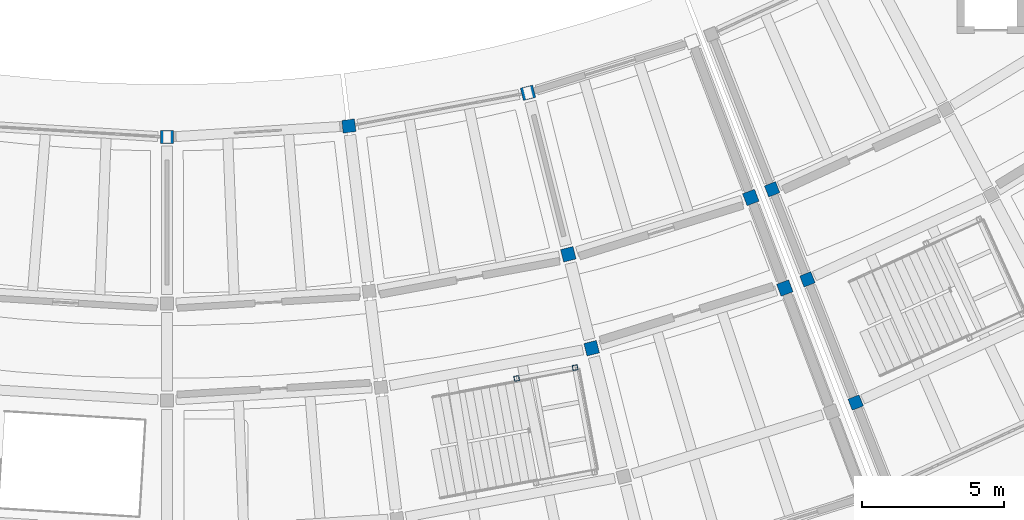
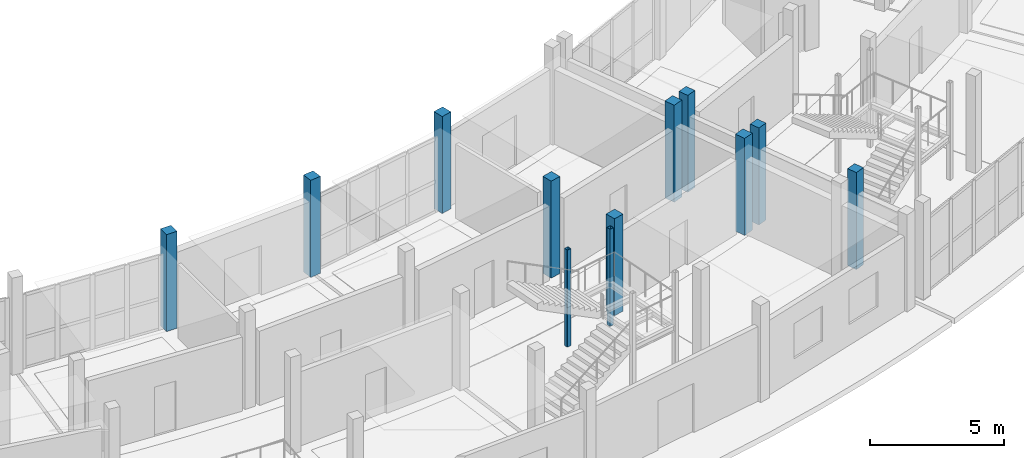
# One storey, part 13 of 92: 12 columns.
"""IFC4 building model written with IfcOpenShell, lengths in metres."""

from ifc_helpers import new_model, si_unit, direction, frame, origin, origin_2d, place, context, subcontext, project, spatial, rectangle, hollow_rectangle, extrude, material, material_profile, profile_set, type_object, element, save


model = new_model("IFC4")

# Units and contexts
model_context = context("Model", 3, precision=1e-05, world=origin(), true_north=direction((0.0, 1.0)))
body_context = subcontext(model_context, "Body", "Model", "MODEL_VIEW")
ifc_project = project(units=[si_unit("LENGTHUNIT", "METRE"), si_unit("AREAUNIT", "SQUARE_METRE"), si_unit("VOLUMEUNIT", "CUBIC_METRE"), si_unit("PLANEANGLEUNIT", "RADIAN"), si_unit("MASSUNIT", "GRAM", prefix="KILO")], contexts=[model_context])

# Site, building, storey
site_placement = place(None, origin())
site = spatial("IfcSite", under=ifc_project, at=site_placement, CompositionType="ELEMENT")
building_placement = place(site_placement, origin())
building = spatial("IfcBuilding", under=site, at=building_placement, Name="Caldaven Crescent School", CompositionType="ELEMENT")
storey_placement = place(building_placement, origin())
storey = spatial("IfcBuildingStorey", under=building, at=storey_placement, Name="L00", CompositionType="ELEMENT", Elevation=0.0)

# Columns
ifc_material_1 = material(Name="Glulam MLE24h (GL28h)", Category="wood")
ifc_material_profile_1 = material_profile(ifc_material_1, rectangle(XDim=0.419921875, YDim=0.419921875, at=origin_2d()), Name="MLE 420x420")
ifc_profile_set_1 = profile_set([ifc_material_profile_1], Name="Glulam MLE24h (GL28h)")
column_type_1 = type_object("IfcColumnType", Name="COL-GL42", PredefinedType="COLUMN", material=ifc_profile_set_1)
for number, where, z_axis, x_axis, name in (
    (1, (109.26708984375, 41.71728515625, 0.0), (0.0, 0.0, 1.0), (0.364714278886, -0.931119484694, 0.0), "COL-V4E-L00-00-1"),
    (2, (110.50732421875, 38.5517578125, 0.0), (0.0, 0.0, 1.0), (0.364714278886, -0.931119484694, 0.0), "COL-V4E-L00-00-2"),
    (3, (112.20361328125, 34.22216796875, 0.0), (0.0, 0.0, 1.0), (0.364714278886, -0.931119484694, 0.0), "COL-V4E-L00-00-3"),
):
    element("IfcColumn", number, at=place(storey_placement, frame(where, z_axis=z_axis, x_axis=x_axis)), inside=storey, type_object=column_type_1, Name=name, PredefinedType="COLUMN", context=body_context, shape_type="SweptSolid", body=[
        extrude(rectangle(XDim=0.419921875, YDim=0.419921875, at=origin_2d()), origin(), (0.0, 0.0, 1.0), 4.419921875),
    ])
ifc_material_profile_2 = material_profile(ifc_material_1, rectangle(XDim=0.449951171875, YDim=0.449951171875, at=origin_2d()), Name="MLE 450x450")
ifc_profile_set_2 = profile_set([ifc_material_profile_2], Name="Glulam MLE24h (GL28h)")
column_type_2 = type_object("IfcColumnType", Name="COL-GL45", PredefinedType="COLUMN", material=ifc_profile_set_2)
for number, where, z_axis, x_axis, name in (
    (4, (88.0, 43.550048828125, 0.0), (0.0, 0.0, 1.0), (0.0, -1.0, 0.0), "COL-V5-L00-03-0"),
    (5, (94.39208984375, 43.94091796875, 0.0), (0.0, 0.0, 1.0), (0.121869343405, -0.992546151641, 0.0), "COL-V5-L00-04-0"),
    (6, (100.688720703125, 45.10791015625, 0.0), (0.0, 0.0, 1.0), (0.2419218956, -0.970295726276, 0.0), "COL-V5-L00-05-0"),
    (7, (102.10400390625, 39.431640625, 0.0), (0.0, 0.0, 1.0), (0.2419218956, -0.970295726276, 0.0), "COL-V5-L00-05-1"),
    (8, (102.926513671875, 36.1328125, 0.0), (0.0, 0.0, 1.0), (0.2419218956, -0.970295726276, 0.0), "COL-V5-L00-05-2"),
    (9, (108.517578125, 41.4296875, 0.0), (0.0, 0.0, 1.0), (0.352005016254, -0.93599811353, 0.0), "COL-V5-L00-06-1"),
    (10, (109.714111328125, 38.247314453125, 0.0), (0.0, 0.0, 1.0), (0.352005016254, -0.93599811353, 0.0), "COL-V5-L00-06-2"),
):
    element("IfcColumn", number, at=place(storey_placement, frame(where, z_axis=z_axis, x_axis=x_axis)), inside=storey, type_object=column_type_2, Name=name, PredefinedType="COLUMN", context=body_context, shape_type="SweptSolid", body=[
        extrude(rectangle(XDim=0.449951171875, YDim=0.449951171875, at=origin_2d()), origin(), (0.0, 0.0, 1.0), 4.419921875),
    ])
ifc_material_2 = material(Name="Steel ASTM A572 Grade 50", Category="steel")
ifc_material_profile_3 = material_profile(ifc_material_2, hollow_rectangle(XDim=0.179931640625, YDim=0.179931640625, WallThickness=0.010009765625, InnerFilletRadius=0.010009765625, OuterFilletRadius=0.02001953125, at=origin_2d()), Name="HSS 180x180x10")
ifc_profile_set_3 = profile_set([ifc_material_profile_3], Name="Steel ASTM A572 Grade 50")
column_type_3 = type_object("IfcColumnType", Name="COL-HS18", PredefinedType="COLUMN", material=ifc_profile_set_3)
for number, where, z_axis, x_axis, name in (
    (11, (100.28955078125, 35.0693359375, 0.0), (0.0, 0.0, 1.0), (0.983254907564, 0.182235525492, 0.0), "COL-STPOST-ST3-L00-B"),
    (12, (102.344482421875, 35.4501953125, 0.0), (0.0, 0.0, 1.0), (0.983254907564, 0.182235525492, 0.0), "COL-STPOST-ST3-L00-D"),
):
    element("IfcColumn", number, at=place(storey_placement, frame(where, z_axis=z_axis, x_axis=x_axis)), inside=storey, type_object=column_type_3, Name=name, PredefinedType="COLUMN", context=body_context, shape_type="SweptSolid", body=[
        extrude(hollow_rectangle(XDim=0.179931640625, YDim=0.179931640625, WallThickness=0.010009765625, InnerFilletRadius=0.010009765625, OuterFilletRadius=0.02001953125, at=origin_2d()), origin(), (0.0, 0.0, 1.0), 4.419921875),
    ])

save(model, "model.ifc")
